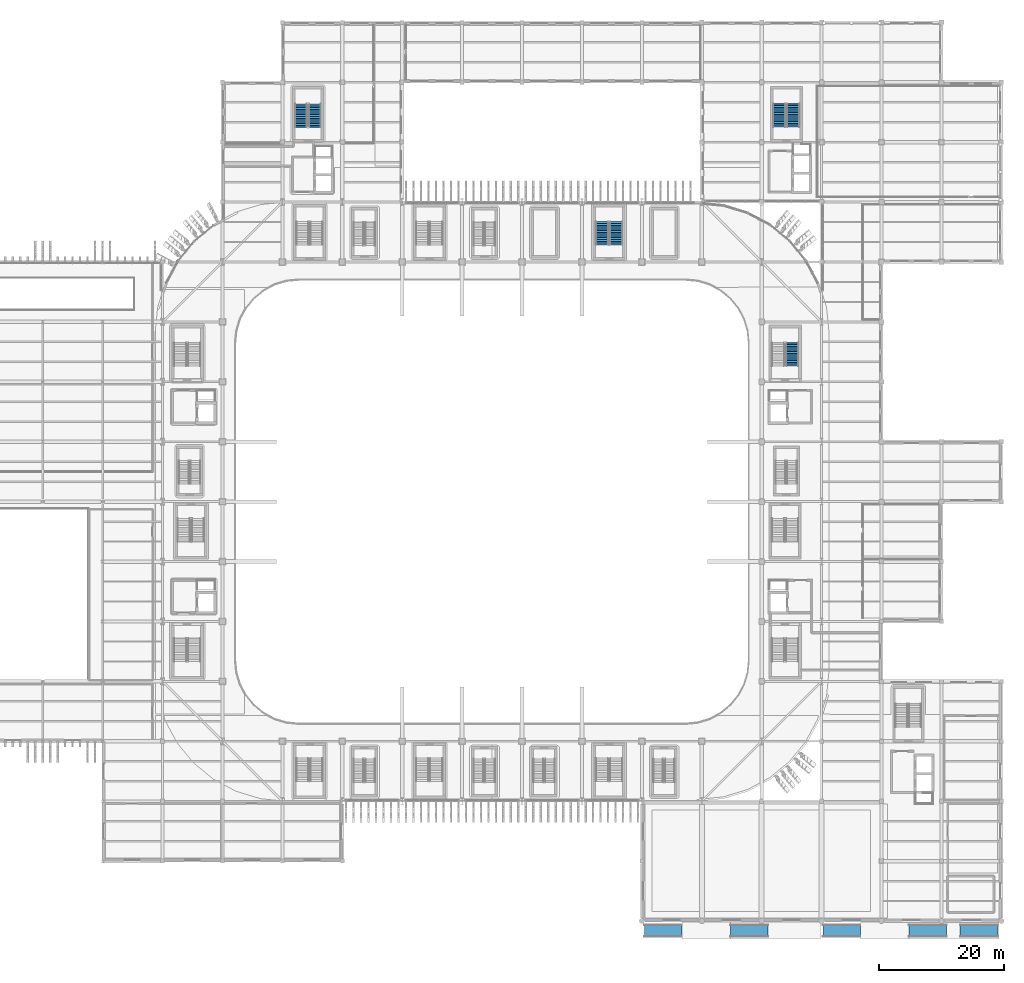
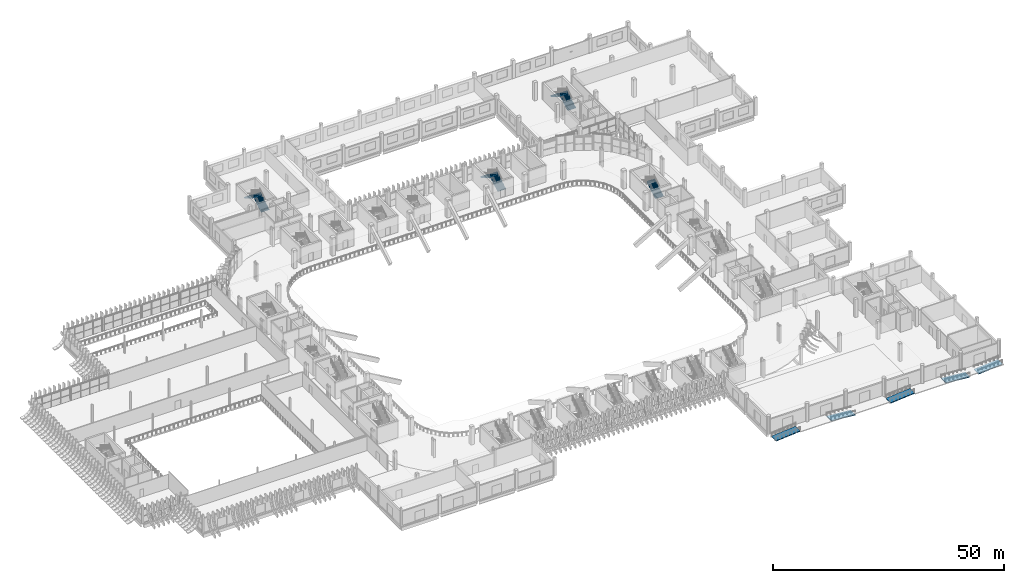
# One storey, part 63 of 100: 7 stair flights, 5 ramp flights, 9 elements without a shape of their own.
"""IFC4 building model written with IfcOpenShell, lengths in metres."""

import ifcopenshell
import ifcopenshell.guid

model = None  # the IFC model being written
_history = None  # IfcOwnerHistory: only IFC2X3 demands one
_inside = {}  # id of a spatial element -> (the spatial element, [elements in it])
_under = {}  # id of a project, library or spatial element -> (it, [spatial elements below it])
_declared = {}  # id of a project -> (the project, [libraries it declares])
_typed = {}  # id of a type object -> (the type object, [elements of that type])
_made_of = {}  # id of a material, layer set ... -> (it, [elements and type objects made of it])


def new_model(schema):
    """Start an empty IFC model of exactly this schema.

    Asked for "IFC4X3", IfcOpenShell would pick the latest addendum, in which some entities
    have other attributes; the version numbers below select the first issue.
    IFC2X3 requires an IfcOwnerHistory on every rooted entity: one is made here for all.
    """
    global model, _history
    if schema == "IFC4X3":
        model = ifcopenshell.file(schema_version=(4, 3, 0, 0))
    else:
        model = ifcopenshell.file(schema=schema)
    _inside.clear()
    _under.clear()
    _declared.clear()
    _typed.clear()
    _made_of.clear()
    _history = None
    if model.schema == "IFC2X3":
        org = make("IfcOrganization", Name="unknown")
        user = make(
            "IfcPersonAndOrganization",
            ThePerson=make("IfcPerson", FamilyName="unknown"),
            TheOrganization=org,
        )
        app = make(
            "IfcApplication",
            ApplicationDeveloper=org,
            Version="unknown",
            ApplicationFullName="unknown",
            ApplicationIdentifier="unknown",
        )
        _history = make(
            "IfcOwnerHistory",
            OwningUser=user,
            OwningApplication=app,
            ChangeAction="ADDED",
            CreationDate=0,
        )
    return model


def make(cls, **values):
    """One entity of the class cls with the attributes given. An attribute that is None is left unset."""
    return model.create_entity(
        cls, **{name: value for name, value in values.items() if value is not None}
    )


def rooted(cls, **values):
    """An entity with a GlobalId (a new one), such as an element, a storey or a relation."""
    return make(cls, GlobalId=ifcopenshell.guid.new(), OwnerHistory=_history, **values)


def si_unit(unit_type, name, prefix=None):
    """IfcSIUnit, for example si_unit("LENGTHUNIT", "METRE", prefix="MILLI")."""
    return make("IfcSIUnit", UnitType=unit_type, Prefix=prefix, Name=name)


def assignment(units):
    """IfcUnitAssignment: the units of a project."""
    return None if units is None else make("IfcUnitAssignment", Units=units)


def point(xyz):
    """IfcCartesianPoint."""
    return None if xyz is None else make("IfcCartesianPoint", Coordinates=xyz)


def direction(xyz):
    """IfcDirection."""
    return None if xyz is None else make("IfcDirection", DirectionRatios=xyz)


def frame(location, z_axis=None, x_axis=None):
    """IfcAxis2Placement3D, a coordinate frame: its origin and axes. An axis left out is left unset."""
    return make(
        "IfcAxis2Placement3D",
        Location=point(location),
        Axis=direction(z_axis),
        RefDirection=direction(x_axis),
    )


def origin():
    """The frame at (0, 0, 0) with its axes left unset."""
    return frame((0.0, 0.0, 0.0))


def place(relative_to, where):
    """IfcLocalPlacement: puts the frame where relative to a parent placement (None: the world)."""
    return make(
        "IfcLocalPlacement", PlacementRelTo=relative_to, RelativePlacement=where
    )


def context(
    kind, dimensions, precision=None, world=None, true_north=None, identifier=None
):
    """IfcGeometricRepresentationContext, for example the 3D "Model" context."""
    return make(
        "IfcGeometricRepresentationContext",
        ContextIdentifier=identifier,
        ContextType=kind,
        CoordinateSpaceDimension=dimensions,
        Precision=precision,
        WorldCoordinateSystem=world,
        TrueNorth=true_north,
    )


def subcontext(parent, identifier, kind, view, scale=None):
    """IfcGeometricRepresentationSubContext, for example "Body" below "Model"."""
    return make(
        "IfcGeometricRepresentationSubContext",
        ContextIdentifier=identifier,
        ContextType=kind,
        ParentContext=parent,
        TargetScale=scale,
        TargetView=view,
    )


def project(units=None, contexts=None):
    """IfcProject with its units and contexts."""
    return rooted(
        "IfcProject",
        Name="project",
        RepresentationContexts=contexts,
        UnitsInContext=assignment(units),
    )


def spatial(cls, under=None, at=None, **own):
    """A site, building, storey or space (cls), placed at a placement, below another one or the project."""
    s = rooted(cls, ObjectPlacement=at, **own)
    if under is not None:
        _under.setdefault(under.id(), (under, []))[1].append(s)
    return s


def polyline(points):
    """IfcPolyline through the points."""
    return make("IfcPolyline", Points=[point(p) for p in points])


def outline(outer, holes=None, kind="AREA"):
    """IfcArbitraryClosedProfileDef: a profile drawn as a closed curve; with holes, ...WithVoids."""
    if holes is None:
        return make("IfcArbitraryClosedProfileDef", ProfileType=kind, OuterCurve=outer)
    return make(
        "IfcArbitraryProfileDefWithVoids",
        ProfileType=kind,
        OuterCurve=outer,
        InnerCurves=holes,
    )


def extrude(swept, where, along, depth):
    """IfcExtrudedAreaSolid: the profile swept, set in the frame where, extruded along a direction by depth."""
    return make(
        "IfcExtrudedAreaSolid",
        SweptArea=swept,
        Position=where,
        ExtrudedDirection=direction(along),
        Depth=depth,
    )


def shape(context_of_items, identifier, shape_type, items):
    """IfcShapeRepresentation: the items that make up one representation, for example the "Body"."""
    return make(
        "IfcShapeRepresentation",
        ContextOfItems=context_of_items,
        RepresentationIdentifier=identifier,
        RepresentationType=shape_type,
        Items=items,
    )


def material(Name=None, Category=None):
    """IfcMaterial."""
    return make("IfcMaterial", Name=Name, Category=Category)


def layer(
    of_material, thickness, ventilated=None, Name=None, Category=None, Priority=None
):
    """IfcMaterialLayer: one layer of a wall or slab, of a material (None: an air gap)."""
    return make(
        "IfcMaterialLayer",
        Material=of_material,
        LayerThickness=thickness,
        IsVentilated=ventilated,
        Name=Name,
        Category=Category,
        Priority=Priority,
    )


def layer_set(layers, Name=None):
    """IfcMaterialLayerSet."""
    return make("IfcMaterialLayerSet", MaterialLayers=layers, LayerSetName=Name)


def made_of(thing, what):
    """Note that an element or type object is made of a material, layer set ...; save() writes the relation."""
    if what is not None:
        _made_of.setdefault(what.id(), (what, []))[1].append(thing)
    return thing


def type_object(cls, material=None, **own):
    """A type object (cls), such as IfcWallType, which elements share."""
    return made_of(rooted(cls, **own), material)


def element(
    cls,
    number,
    at=None,
    inside=None,
    cuts=None,
    type_object=None,
    material=None,
    context=None,
    identifier="Body",
    shape_type=None,
    held_by="IfcProductDefinitionShape",
    body=None,
    shapes=None,
    **own,
):
    """One element of the class cls, such as IfcWall. Its Tag is "e" and its number.

    at: its placement. inside: the storey or other place that contains it. cuts: it is an
    opening in that element (IfcRelVoidsElement). A single representation is given by context,
    identifier, shape_type and body (its items); several are given by shapes. held_by: the class
    of the entity that holds the representations. save() writes the other relations.
    """
    e = rooted(cls, Tag="e%d" % number, ObjectPlacement=at, **own)
    if body is not None:
        shapes = [shape(context, identifier, shape_type, body)]
    if shapes is not None:
        e.Representation = make(held_by, Representations=shapes)
    if inside is not None:
        _inside.setdefault(inside.id(), (inside, []))[1].append(e)
    if cuts is not None:
        rooted(
            "IfcRelVoidsElement", RelatingBuildingElement=cuts, RelatedOpeningElement=e
        )
    if type_object is not None:
        _typed.setdefault(type_object.id(), (type_object, []))[1].append(e)
    return made_of(e, material)


def aggregate(whole, parts):
    """IfcRelAggregates: a whole, such as a stair, and the parts it consists of."""
    return rooted("IfcRelAggregates", RelatingObject=whole, RelatedObjects=parts)


def save(model, path):
    """Write the relations noted so far, then the file.

    IfcRelAggregates (storeys below a building ...), IfcRelContainedInSpatialStructure (elements
    in a storey), IfcRelDefinesByType, IfcRelAssociatesMaterial and IfcRelDeclares: one each for
    every whole, place, type object, material and project.
    """
    for whole, parts in _under.values():
        aggregate(whole, parts)
    for where, things in _inside.values():
        rooted(
            "IfcRelContainedInSpatialStructure",
            RelatedElements=things,
            RelatingStructure=where,
        )
    for kind, things in _typed.values():
        rooted("IfcRelDefinesByType", RelatedObjects=things, RelatingType=kind)
    for what, things in _made_of.values():
        rooted("IfcRelAssociatesMaterial", RelatedObjects=things, RelatingMaterial=what)
    for by, libraries in _declared.values():
        rooted("IfcRelDeclares", RelatingContext=by, RelatedDefinitions=libraries)
    model.write(path)


model = new_model("IFC4")

# Units and contexts
model_context = context("Model", 3, precision=1e-05, world=origin(), true_north=direction((0.0, 1.0)))
body_context = subcontext(model_context, "Body", "Model", "MODEL_VIEW")
ifc_project = project(units=[si_unit("LENGTHUNIT", "METRE"), si_unit("AREAUNIT", "SQUARE_METRE"), si_unit("VOLUMEUNIT", "CUBIC_METRE"), si_unit("PLANEANGLEUNIT", "RADIAN"), si_unit("MASSUNIT", "GRAM", prefix="KILO")], contexts=[model_context])

# Site, building, storey
site_placement = place(None, origin())
site = spatial("IfcSite", under=ifc_project, at=site_placement, CompositionType="ELEMENT")
building_placement = place(site_placement, origin())
building = spatial("IfcBuilding", under=site, at=building_placement, Name="Caelomonte Colonnade Arena", CompositionType="ELEMENT")
storey_placement = place(building_placement, origin())
storey = spatial("IfcBuildingStorey", under=building, at=storey_placement, Name="L00", CompositionType="ELEMENT", Elevation=0.0)

# Stair, stair flights
ifc_material = material(Name="Concrete C40/50", Category="concrete")
stair_type_1 = type_object("IfcStairType", Name="INT-ST-CORE48", PredefinedType="HALF_TURN_STAIR", material=ifc_material)
stair_1_placement = place(storey_placement, origin())
stair_1 = element("IfcStair", 1, at=stair_1_placement, inside=storey, type_object=stair_type_1, Name="L00 Protected exit stair ST-16", PredefinedType="HALF_TURN_STAIR")
stair_flight_type_1 = type_object("IfcStairFlightType", Name="INT-SF-CORE48", PredefinedType="STRAIGHT", material=ifc_material)
stair_flight_1_placement = place(storey_placement, frame((130.27490234375, 108.35009765625, 0.0), z_axis=(0.0, 0.0, 1.0), x_axis=(0.0, 1.0, 0.0)))
stair_flight_1 = element("IfcStairFlight", 2, at=stair_flight_1_placement, type_object=stair_flight_type_1, Name="ST-16 flight 1", NumberOfRisers=14, NumberOfTreads=13, PredefinedType="STRAIGHT", RiserHeight=0.171428571, TreadLength=0.285, context=body_context, shape_type="SweptSolid", body=[
    extrude(outline(polyline([(-0.02490234375, 0.0), (-0.02490234375, 0.102783203125), (0.0, 0.102783203125), (0.0, 0.17138671875), (0.284912109375, 0.17138671875), (0.284912109375, 0.3427734375), (0.570068359375, 0.3427734375), (0.570068359375, 0.514404296875), (0.85498046875, 0.514404296875), (0.85498046875, 0.685791015625), (1.139892578125, 0.685791015625), (1.139892578125, 0.857177734375), (1.425048828125, 0.857177734375), (1.425048828125, 1.028564453125), (1.7099609375, 1.028564453125), (1.7099609375, 1.199951171875), (1.9951171875, 1.199951171875), (1.9951171875, 1.371337890625), (2.280029296875, 1.371337890625), (2.280029296875, 1.54296875), (2.56494140625, 1.54296875), (2.56494140625, 1.71435546875), (2.85009765625, 1.71435546875), (2.85009765625, 1.8857421875), (3.135009765625, 1.8857421875), (3.135009765625, 2.05712890625), (3.419921875, 2.05712890625), (3.419921875, 2.228515625), (3.705078125, 2.228515625), (3.705078125, 2.39990234375), (3.72998046875, 2.39990234375), (3.72998046875, 2.0537109375), (0.290771484375, 0.0), (-0.02490234375, 0.0)])), frame((0.0, 1.02490234375, 0.0), z_axis=(0.0, -1.0, 0.0), x_axis=(1.0, 0.0, 0.0)), (0.0, 0.0, 1.0), 2.050048828125),
])
stair_flight_2_placement = place(storey_placement, frame((128.02490234375, 112.054931640625, 2.39990234375), z_axis=(0.0, 0.0, 1.0), x_axis=(0.0, -1.0, 0.0)))
stair_flight_2 = element("IfcStairFlight", 3, at=stair_flight_2_placement, type_object=stair_flight_type_1, Name="ST-16 flight 2", NumberOfRisers=14, NumberOfTreads=13, PredefinedType="STRAIGHT", RiserHeight=0.171428571, TreadLength=0.285, context=body_context, shape_type="SweptSolid", body=[
    extrude(outline(polyline([(-0.02490234375, 0.0), (-0.02490234375, 0.102783203125), (0.0, 0.102783203125), (0.0, 0.17138671875), (0.284912109375, 0.17138671875), (0.284912109375, 0.3427734375), (0.570068359375, 0.3427734375), (0.570068359375, 0.514404296875), (0.85498046875, 0.514404296875), (0.85498046875, 0.685791015625), (1.139892578125, 0.685791015625), (1.139892578125, 0.857177734375), (1.425048828125, 0.857177734375), (1.425048828125, 1.028564453125), (1.7099609375, 1.028564453125), (1.7099609375, 1.199951171875), (1.9951171875, 1.199951171875), (1.9951171875, 1.371337890625), (2.280029296875, 1.371337890625), (2.280029296875, 1.54296875), (2.56494140625, 1.54296875), (2.56494140625, 1.71435546875), (2.85009765625, 1.71435546875), (2.85009765625, 1.8857421875), (3.135009765625, 1.8857421875), (3.135009765625, 2.05712890625), (3.419921875, 2.05712890625), (3.419921875, 2.228515625), (3.705078125, 2.228515625), (3.705078125, 2.39990234375), (3.72998046875, 2.39990234375), (3.72998046875, 2.0537109375), (0.290771484375, 0.0), (-0.02490234375, 0.0)])), frame((0.0, 1.02490234375, 0.0), z_axis=(0.0, -1.0, 0.0), x_axis=(1.0, 0.0, 0.0)), (0.0, 0.0, 1.0), 2.050048828125),
])
aggregate(stair_1, [stair_flight_1, stair_flight_2])

# Stair, stair flight
stair_type_2 = type_object("IfcStairType", Name="INT-ST-WING48", PredefinedType="HALF_TURN_STAIR", material=ifc_material)
stair_2_placement = place(storey_placement, origin())
stair_2 = element("IfcStair", 4, at=stair_2_placement, inside=storey, type_object=stair_type_2, Name="L00 Core C3 exit stair ST-03", PredefinedType="HALF_TURN_STAIR")
stair_flight_type_2 = type_object("IfcStairFlightType", Name="INT-SF-WING48", PredefinedType="STRAIGHT", material=ifc_material)
stair_flight_3_placement = place(storey_placement, frame((158.47509765625, 88.949951171875, 0.0), z_axis=(0.0, 0.0, 1.0), x_axis=(0.0, 1.0, 0.0)))
stair_flight_3 = element("IfcStairFlight", 5, at=stair_flight_3_placement, type_object=stair_flight_type_2, Name="ST-03 flight 1", NumberOfRisers=14, NumberOfTreads=13, PredefinedType="STRAIGHT", RiserHeight=0.171428571, TreadLength=0.285, context=body_context, shape_type="SweptSolid", body=[
    extrude(outline(polyline([(-0.02490234375, 0.0), (-0.02490234375, 0.102783203125), (0.0, 0.102783203125), (0.0, 0.17138671875), (0.284912109375, 0.17138671875), (0.284912109375, 0.3427734375), (0.570068359375, 0.3427734375), (0.570068359375, 0.514404296875), (0.85498046875, 0.514404296875), (0.85498046875, 0.685791015625), (1.139892578125, 0.685791015625), (1.139892578125, 0.857177734375), (1.425048828125, 0.857177734375), (1.425048828125, 1.028564453125), (1.7099609375, 1.028564453125), (1.7099609375, 1.199951171875), (1.9951171875, 1.199951171875), (1.9951171875, 1.371337890625), (2.280029296875, 1.371337890625), (2.280029296875, 1.54296875), (2.56494140625, 1.54296875), (2.56494140625, 1.71435546875), (2.85009765625, 1.71435546875), (2.85009765625, 1.8857421875), (3.135009765625, 1.8857421875), (3.135009765625, 2.05712890625), (3.419921875, 2.05712890625), (3.419921875, 2.228515625), (3.705078125, 2.228515625), (3.705078125, 2.39990234375), (3.72998046875, 2.39990234375), (3.72998046875, 2.0537109375), (0.290771484375, 0.0), (-0.02490234375, 0.0)])), frame((0.0, 1.02490234375, 0.0), z_axis=(0.0, -1.0, 0.0), x_axis=(1.0, 0.0, 0.0)), (0.0, 0.0, 1.0), 2.050048828125),
])
aggregate(stair_2, [stair_flight_3])

# Stair, stair flights
stair_3_placement = place(storey_placement, origin())
stair_3 = element("IfcStair", 6, at=stair_3_placement, inside=storey, type_object=stair_type_2, Name="L00 Core C6 exit stair ST-06", PredefinedType="HALF_TURN_STAIR")
stair_flight_4_placement = place(storey_placement, frame((158.675048828125, 127.25, 0.0), z_axis=(0.0, 0.0, 1.0), x_axis=(0.0, 1.0, 0.0)))
stair_flight_4 = element("IfcStairFlight", 7, at=stair_flight_4_placement, type_object=stair_flight_type_2, Name="ST-06 flight 1", NumberOfRisers=14, NumberOfTreads=13, PredefinedType="STRAIGHT", RiserHeight=0.171428571, TreadLength=0.285, context=body_context, shape_type="SweptSolid", body=[
    extrude(outline(polyline([(-0.02490234375, 0.0), (-0.02490234375, 0.102783203125), (0.0, 0.102783203125), (0.0, 0.17138671875), (0.284912109375, 0.17138671875), (0.284912109375, 0.3427734375), (0.570068359375, 0.3427734375), (0.570068359375, 0.514404296875), (0.85498046875, 0.514404296875), (0.85498046875, 0.685791015625), (1.139892578125, 0.685791015625), (1.139892578125, 0.857177734375), (1.425048828125, 0.857177734375), (1.425048828125, 1.028564453125), (1.7099609375, 1.028564453125), (1.7099609375, 1.199951171875), (1.9951171875, 1.199951171875), (1.9951171875, 1.371337890625), (2.280029296875, 1.371337890625), (2.280029296875, 1.54296875), (2.56494140625, 1.54296875), (2.56494140625, 1.71435546875), (2.85009765625, 1.71435546875), (2.85009765625, 1.8857421875), (3.135009765625, 1.8857421875), (3.135009765625, 2.05712890625), (3.419921875, 2.05712890625), (3.419921875, 2.228515625), (3.705078125, 2.228515625), (3.705078125, 2.39990234375), (3.72998046875, 2.39990234375), (3.72998046875, 2.0537109375), (0.290771484375, 0.0), (-0.02490234375, 0.0)])), frame((0.0, 1.02490234375, 0.0), z_axis=(0.0, -1.0, 0.0), x_axis=(1.0, 0.0, 0.0)), (0.0, 0.0, 1.0), 2.050048828125),
])
stair_flight_5_placement = place(storey_placement, frame((156.425048828125, 130.955078125, 2.39990234375), z_axis=(0.0, 0.0, 1.0), x_axis=(0.0, -1.0, 0.0)))
stair_flight_5 = element("IfcStairFlight", 8, at=stair_flight_5_placement, type_object=stair_flight_type_2, Name="ST-06 flight 2", NumberOfRisers=14, NumberOfTreads=13, PredefinedType="STRAIGHT", RiserHeight=0.171428571, TreadLength=0.285, context=body_context, shape_type="SweptSolid", body=[
    extrude(outline(polyline([(-0.02490234375, 0.0), (-0.02490234375, 0.102783203125), (0.0, 0.102783203125), (0.0, 0.17138671875), (0.284912109375, 0.17138671875), (0.284912109375, 0.3427734375), (0.570068359375, 0.3427734375), (0.570068359375, 0.514404296875), (0.85498046875, 0.514404296875), (0.85498046875, 0.685791015625), (1.139892578125, 0.685791015625), (1.139892578125, 0.857177734375), (1.425048828125, 0.857177734375), (1.425048828125, 1.028564453125), (1.7099609375, 1.028564453125), (1.7099609375, 1.199951171875), (1.9951171875, 1.199951171875), (1.9951171875, 1.371337890625), (2.280029296875, 1.371337890625), (2.280029296875, 1.54296875), (2.56494140625, 1.54296875), (2.56494140625, 1.71435546875), (2.85009765625, 1.71435546875), (2.85009765625, 1.8857421875), (3.135009765625, 1.8857421875), (3.135009765625, 2.05712890625), (3.419921875, 2.05712890625), (3.419921875, 2.228515625), (3.705078125, 2.228515625), (3.705078125, 2.39990234375), (3.72998046875, 2.39990234375), (3.72998046875, 2.0537109375), (0.290771484375, 0.0), (-0.02490234375, 0.0)])), frame((0.0, 1.02490234375, 0.0), z_axis=(0.0, -1.0, 0.0), x_axis=(1.0, 0.0, 0.0)), (0.0, 0.0, 1.0), 2.050048828125),
])
aggregate(stair_3, [stair_flight_4, stair_flight_5])

stair_4_placement = place(storey_placement, origin())
stair_4 = element("IfcStair", 9, at=stair_4_placement, inside=storey, type_object=stair_type_2, Name="L00 Core C7 exit stair ST-07", PredefinedType="HALF_TURN_STAIR")
stair_flight_6_placement = place(storey_placement, frame((82.0, 127.199951171875, 0.0), z_axis=(0.0, 0.0, 1.0), x_axis=(0.0, 1.0, 0.0)))
stair_flight_6 = element("IfcStairFlight", 10, at=stair_flight_6_placement, type_object=stair_flight_type_2, Name="ST-07 flight 1", NumberOfRisers=14, NumberOfTreads=13, PredefinedType="STRAIGHT", RiserHeight=0.171428571, TreadLength=0.285, context=body_context, shape_type="SweptSolid", body=[
    extrude(outline(polyline([(-0.02490234375, 0.0), (-0.02490234375, 0.102783203125), (0.0, 0.102783203125), (0.0, 0.17138671875), (0.284912109375, 0.17138671875), (0.284912109375, 0.3427734375), (0.570068359375, 0.3427734375), (0.570068359375, 0.514404296875), (0.85498046875, 0.514404296875), (0.85498046875, 0.685791015625), (1.139892578125, 0.685791015625), (1.139892578125, 0.857177734375), (1.425048828125, 0.857177734375), (1.425048828125, 1.028564453125), (1.7099609375, 1.028564453125), (1.7099609375, 1.199951171875), (1.9951171875, 1.199951171875), (1.9951171875, 1.371337890625), (2.280029296875, 1.371337890625), (2.280029296875, 1.54296875), (2.56494140625, 1.54296875), (2.56494140625, 1.71435546875), (2.85009765625, 1.71435546875), (2.85009765625, 1.8857421875), (3.135009765625, 1.8857421875), (3.135009765625, 2.05712890625), (3.419921875, 2.05712890625), (3.419921875, 2.228515625), (3.705078125, 2.228515625), (3.705078125, 2.39990234375), (3.72998046875, 2.39990234375), (3.72998046875, 2.0537109375), (0.290771484375, 0.0), (-0.02490234375, 0.0)])), frame((0.0, 1.0, 0.0), z_axis=(0.0, -1.0, 0.0), x_axis=(1.0, 0.0, 0.0)), (0.0, 0.0, 1.0), 2.0),
])
stair_flight_7_placement = place(storey_placement, frame((79.800048828125, 130.905029296875, 2.39990234375), z_axis=(0.0, 0.0, 1.0), x_axis=(0.0, -1.0, 0.0)))
stair_flight_7 = element("IfcStairFlight", 11, at=stair_flight_7_placement, type_object=stair_flight_type_2, Name="ST-07 flight 2", NumberOfRisers=14, NumberOfTreads=13, PredefinedType="STRAIGHT", RiserHeight=0.171428571, TreadLength=0.285, context=body_context, shape_type="SweptSolid", body=[
    extrude(outline(polyline([(-0.02490234375, 0.0), (-0.02490234375, 0.102783203125), (0.0, 0.102783203125), (0.0, 0.17138671875), (0.284912109375, 0.17138671875), (0.284912109375, 0.3427734375), (0.570068359375, 0.3427734375), (0.570068359375, 0.514404296875), (0.85498046875, 0.514404296875), (0.85498046875, 0.685791015625), (1.139892578125, 0.685791015625), (1.139892578125, 0.857177734375), (1.425048828125, 0.857177734375), (1.425048828125, 1.028564453125), (1.7099609375, 1.028564453125), (1.7099609375, 1.199951171875), (1.9951171875, 1.199951171875), (1.9951171875, 1.371337890625), (2.280029296875, 1.371337890625), (2.280029296875, 1.54296875), (2.56494140625, 1.54296875), (2.56494140625, 1.71435546875), (2.85009765625, 1.71435546875), (2.85009765625, 1.8857421875), (3.135009765625, 1.8857421875), (3.135009765625, 2.05712890625), (3.419921875, 2.05712890625), (3.419921875, 2.228515625), (3.705078125, 2.228515625), (3.705078125, 2.39990234375), (3.72998046875, 2.39990234375), (3.72998046875, 2.0537109375), (0.290771484375, 0.0), (-0.02490234375, 0.0)])), frame((0.0, 1.0, 0.0), z_axis=(0.0, -1.0, 0.0), x_axis=(1.0, 0.0, 0.0)), (0.0, 0.0, 1.0), 2.0),
])
aggregate(stair_4, [stair_flight_6, stair_flight_7])

# Ramp, ramp flight
ramp_type = type_object("IfcRampType", Name="ENV-RM-ACC", PredefinedType="STRAIGHT_RUN_RAMP", material=ifc_material)
ramp_1_placement = place(storey_placement, origin())
ramp_1 = element("IfcRamp", 12, at=ramp_1_placement, inside=storey, type_object=ramp_type, Name="Forecourt accessible pedestrian ramp PR-01", PredefinedType="STRAIGHT_RUN_RAMP")
ifc_layer = layer(ifc_material, 0.219970703125)
ifc_layer_set = layer_set([ifc_layer], Name="Concrete C40/50")
ramp_flight_type = type_object("IfcRampFlightType", Name="ENV-RF-ACC", PredefinedType="STRAIGHT", material=ifc_layer_set)
ramp_flight_1_placement = place(storey_placement, frame((134.800048828125, -2.550048828125, -0.5), z_axis=(-0.083045479854, 0.0, 0.996545758245), x_axis=(0.996545758245, 0.0, 0.083045479854)))
ramp_flight_1 = element("IfcRampFlight", 13, at=ramp_flight_1_placement, type_object=ramp_flight_type, Name="Accessible ramp PR-01 flight", PredefinedType="STRAIGHT", context=body_context, shape_type="SweptSolid", body=[
    extrude(outline(polyline([(0.0, 0.0), (6.020797289396148, 0.0), (6.020797289396148, 2.0), (0.0, 2.0), (0.0, 0.0)])), origin(), (0.0, 0.0, -1.0), 0.219970703125),
])
aggregate(ramp_1, [ramp_flight_1])

ramp_2_placement = place(storey_placement, origin())
ramp_2 = element("IfcRamp", 14, at=ramp_2_placement, inside=storey, type_object=ramp_type, Name="Forecourt accessible pedestrian ramp PR-02", PredefinedType="STRAIGHT_RUN_RAMP")
ramp_flight_2_placement = place(storey_placement, frame((148.60009765625, -2.550048828125, 0.0), z_axis=(0.083045479854, 0.0, 0.996545758245), x_axis=(0.996545758245, 0.0, -0.083045479854)))
ramp_flight_2 = element("IfcRampFlight", 15, at=ramp_flight_2_placement, type_object=ramp_flight_type, Name="Accessible ramp PR-02 flight", PredefinedType="STRAIGHT", context=body_context, shape_type="SweptSolid", body=[
    extrude(outline(polyline([(0.0, 0.0), (6.020797289396148, 0.0), (6.020797289396148, 2.0), (0.0, 2.0), (0.0, 0.0)])), origin(), (0.0, 0.0, -1.0), 0.219970703125),
])
aggregate(ramp_2, [ramp_flight_2])

ramp_3_placement = place(storey_placement, origin())
ramp_3 = element("IfcRamp", 16, at=ramp_3_placement, inside=storey, type_object=ramp_type, Name="Forecourt accessible pedestrian ramp PR-03", PredefinedType="STRAIGHT_RUN_RAMP")
ramp_flight_3_placement = place(storey_placement, frame((163.39990234375, -2.550048828125, -0.5), z_axis=(-0.083045479854, 0.0, 0.996545758245), x_axis=(0.996545758245, 0.0, 0.083045479854)))
ramp_flight_3 = element("IfcRampFlight", 17, at=ramp_flight_3_placement, type_object=ramp_flight_type, Name="Accessible ramp PR-03 flight", PredefinedType="STRAIGHT", context=body_context, shape_type="SweptSolid", body=[
    extrude(outline(polyline([(0.0, 0.0), (6.020797289396148, 0.0), (6.020797289396148, 2.0), (0.0, 2.0), (0.0, 0.0)])), origin(), (0.0, 0.0, -1.0), 0.219970703125),
])
aggregate(ramp_3, [ramp_flight_3])

ramp_4_placement = place(storey_placement, origin())
ramp_4 = element("IfcRamp", 18, at=ramp_4_placement, inside=storey, type_object=ramp_type, Name="Forecourt accessible pedestrian ramp PR-04", PredefinedType="STRAIGHT_RUN_RAMP")
ramp_flight_4_placement = place(storey_placement, frame((177.199951171875, -2.550048828125, 0.0), z_axis=(0.083045479854, 0.0, 0.996545758245), x_axis=(0.996545758245, 0.0, -0.083045479854)))
ramp_flight_4 = element("IfcRampFlight", 19, at=ramp_flight_4_placement, type_object=ramp_flight_type, Name="Accessible ramp PR-04 flight", PredefinedType="STRAIGHT", context=body_context, shape_type="SweptSolid", body=[
    extrude(outline(polyline([(0.0, 0.0), (6.020797289396148, 0.0), (6.020797289396148, 2.0), (0.0, 2.0), (0.0, 0.0)])), origin(), (0.0, 0.0, -1.0), 0.219970703125),
])
aggregate(ramp_4, [ramp_flight_4])

ramp_5_placement = place(storey_placement, origin())
ramp_5 = element("IfcRamp", 20, at=ramp_5_placement, inside=storey, type_object=ramp_type, Name="Forecourt accessible pedestrian ramp PR-05", PredefinedType="STRAIGHT_RUN_RAMP")
ramp_flight_5_placement = place(storey_placement, frame((185.39990234375, -2.550048828125, -0.5), z_axis=(-0.083045479854, 0.0, 0.996545758245), x_axis=(0.996545758245, 0.0, 0.083045479854)))
ramp_flight_5 = element("IfcRampFlight", 21, at=ramp_flight_5_placement, type_object=ramp_flight_type, Name="Accessible ramp PR-05 flight", PredefinedType="STRAIGHT", context=body_context, shape_type="SweptSolid", body=[
    extrude(outline(polyline([(0.0, 0.0), (6.020797289396148, 0.0), (6.020797289396148, 2.0), (0.0, 2.0), (0.0, 0.0)])), origin(), (0.0, 0.0, -1.0), 0.219970703125),
])
aggregate(ramp_5, [ramp_flight_5])

save(model, "model.ifc")
